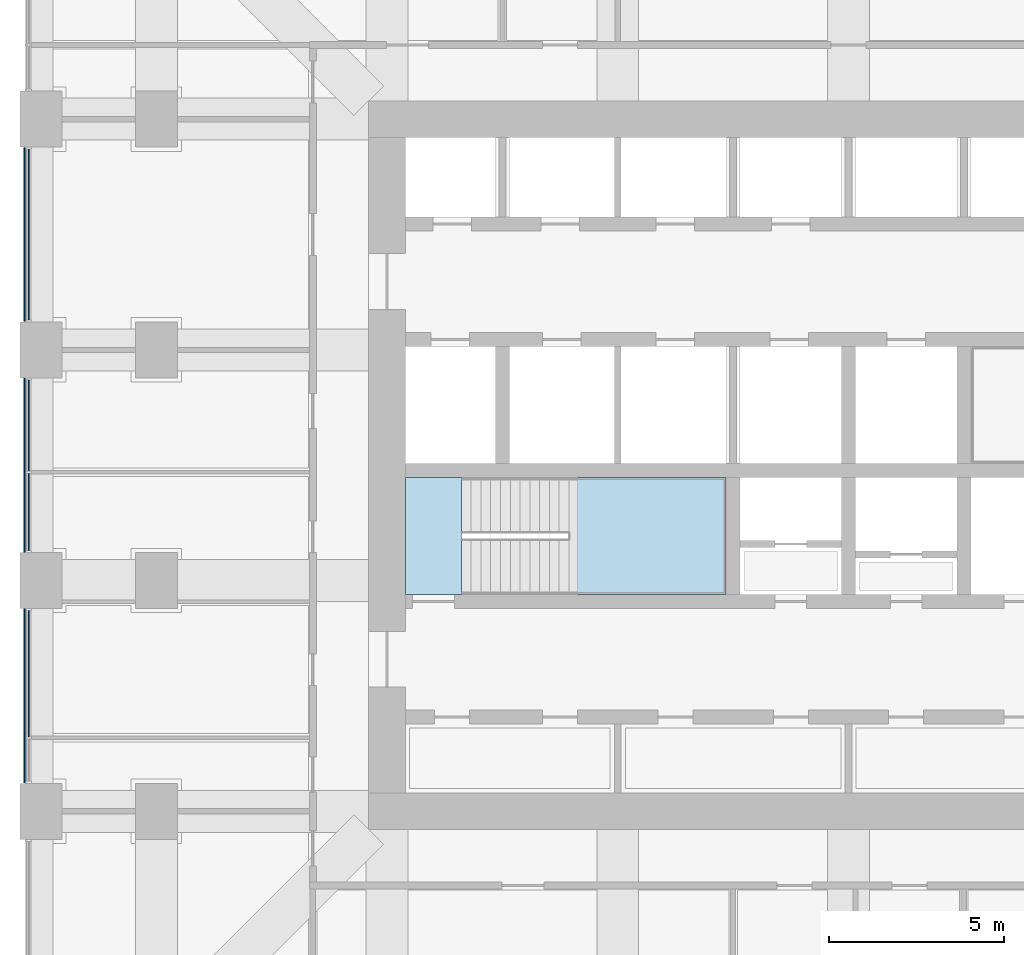
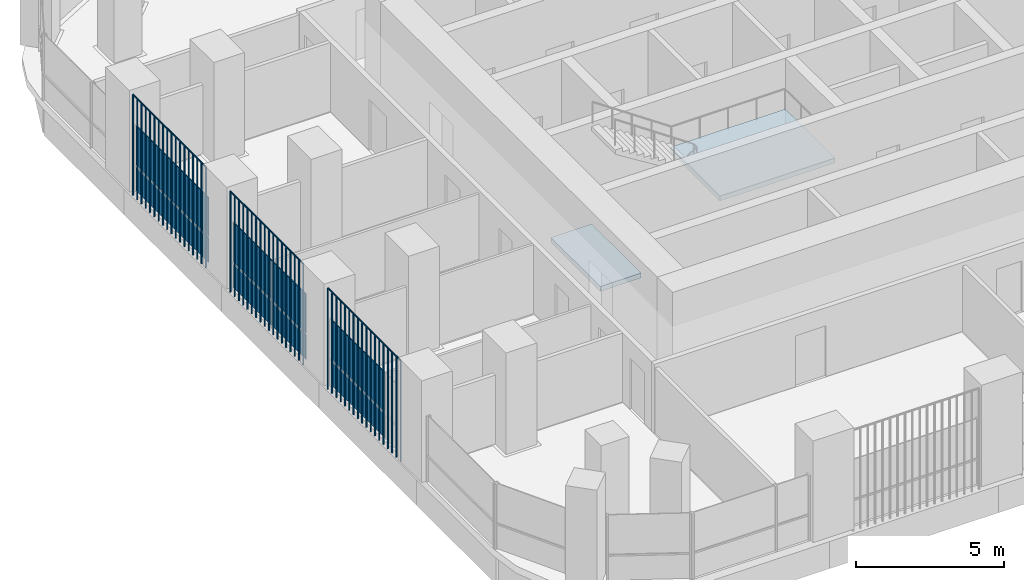
# One storey, part 9 of 19: 11 plates, 2 slabs, 4 elements without a shape of their own.
"""IFC4 building model written with IfcOpenShell, lengths in metres."""

import ifcopenshell
import ifcopenshell.guid

model = None  # the IFC model being written
_history = None  # IfcOwnerHistory: only IFC2X3 demands one
_inside = {}  # id of a spatial element -> (the spatial element, [elements in it])
_under = {}  # id of a project, library or spatial element -> (it, [spatial elements below it])
_declared = {}  # id of a project -> (the project, [libraries it declares])
_typed = {}  # id of a type object -> (the type object, [elements of that type])
_made_of = {}  # id of a material, layer set ... -> (it, [elements and type objects made of it])


def new_model(schema):
    """Start an empty IFC model of exactly this schema.

    Asked for "IFC4X3", IfcOpenShell would pick the latest addendum, in which some entities
    have other attributes; the version numbers below select the first issue.
    IFC2X3 requires an IfcOwnerHistory on every rooted entity: one is made here for all.
    """
    global model, _history
    if schema == "IFC4X3":
        model = ifcopenshell.file(schema_version=(4, 3, 0, 0))
    else:
        model = ifcopenshell.file(schema=schema)
    _inside.clear()
    _under.clear()
    _declared.clear()
    _typed.clear()
    _made_of.clear()
    _history = None
    if model.schema == "IFC2X3":
        org = make("IfcOrganization", Name="unknown")
        user = make(
            "IfcPersonAndOrganization",
            ThePerson=make("IfcPerson", FamilyName="unknown"),
            TheOrganization=org,
        )
        app = make(
            "IfcApplication",
            ApplicationDeveloper=org,
            Version="unknown",
            ApplicationFullName="unknown",
            ApplicationIdentifier="unknown",
        )
        _history = make(
            "IfcOwnerHistory",
            OwningUser=user,
            OwningApplication=app,
            ChangeAction="ADDED",
            CreationDate=0,
        )
    return model


def make(cls, **values):
    """One entity of the class cls with the attributes given. An attribute that is None is left unset."""
    return model.create_entity(
        cls, **{name: value for name, value in values.items() if value is not None}
    )


def rooted(cls, **values):
    """An entity with a GlobalId (a new one), such as an element, a storey or a relation."""
    return make(cls, GlobalId=ifcopenshell.guid.new(), OwnerHistory=_history, **values)


def si_unit(unit_type, name, prefix=None):
    """IfcSIUnit, for example si_unit("LENGTHUNIT", "METRE", prefix="MILLI")."""
    return make("IfcSIUnit", UnitType=unit_type, Prefix=prefix, Name=name)


def assignment(units):
    """IfcUnitAssignment: the units of a project."""
    return None if units is None else make("IfcUnitAssignment", Units=units)


def point(xyz):
    """IfcCartesianPoint."""
    return None if xyz is None else make("IfcCartesianPoint", Coordinates=xyz)


def direction(xyz):
    """IfcDirection."""
    return None if xyz is None else make("IfcDirection", DirectionRatios=xyz)


def frame(location, z_axis=None, x_axis=None):
    """IfcAxis2Placement3D, a coordinate frame: its origin and axes. An axis left out is left unset."""
    return make(
        "IfcAxis2Placement3D",
        Location=point(location),
        Axis=direction(z_axis),
        RefDirection=direction(x_axis),
    )


def frame_2d(location, x_axis=None):
    """IfcAxis2Placement2D, a coordinate frame in the plane: its origin and x axis."""
    return make(
        "IfcAxis2Placement2D", Location=point(location), RefDirection=direction(x_axis)
    )


def origin():
    """The frame at (0, 0, 0) with its axes left unset."""
    return frame((0.0, 0.0, 0.0))


def origin_2d():
    """The frame at (0, 0) in the plane with its x axis left unset."""
    return frame_2d((0.0, 0.0))


def place(relative_to, where):
    """IfcLocalPlacement: puts the frame where relative to a parent placement (None: the world)."""
    return make(
        "IfcLocalPlacement", PlacementRelTo=relative_to, RelativePlacement=where
    )


def context(
    kind, dimensions, precision=None, world=None, true_north=None, identifier=None
):
    """IfcGeometricRepresentationContext, for example the 3D "Model" context."""
    return make(
        "IfcGeometricRepresentationContext",
        ContextIdentifier=identifier,
        ContextType=kind,
        CoordinateSpaceDimension=dimensions,
        Precision=precision,
        WorldCoordinateSystem=world,
        TrueNorth=true_north,
    )


def subcontext(parent, identifier, kind, view, scale=None):
    """IfcGeometricRepresentationSubContext, for example "Body" below "Model"."""
    return make(
        "IfcGeometricRepresentationSubContext",
        ContextIdentifier=identifier,
        ContextType=kind,
        ParentContext=parent,
        TargetScale=scale,
        TargetView=view,
    )


def project(units=None, contexts=None):
    """IfcProject with its units and contexts."""
    return rooted(
        "IfcProject",
        Name="project",
        RepresentationContexts=contexts,
        UnitsInContext=assignment(units),
    )


def spatial(cls, under=None, at=None, **own):
    """A site, building, storey or space (cls), placed at a placement, below another one or the project."""
    s = rooted(cls, ObjectPlacement=at, **own)
    if under is not None:
        _under.setdefault(under.id(), (under, []))[1].append(s)
    return s


def polyline(points):
    """IfcPolyline through the points."""
    return make("IfcPolyline", Points=[point(p) for p in points])


def profile(cls, at=None, kind="AREA", **sizes):
    """A parametric profile (cls). Its sizes go by their IFC names, for example OverallWidth=200.0."""
    return make(cls, ProfileType=kind, Position=at, **sizes)


def rectangle(**sizes):
    """IfcRectangleProfileDef."""
    return profile("IfcRectangleProfileDef", **sizes)


def outline(outer, holes=None, kind="AREA"):
    """IfcArbitraryClosedProfileDef: a profile drawn as a closed curve; with holes, ...WithVoids."""
    if holes is None:
        return make("IfcArbitraryClosedProfileDef", ProfileType=kind, OuterCurve=outer)
    return make(
        "IfcArbitraryProfileDefWithVoids",
        ProfileType=kind,
        OuterCurve=outer,
        InnerCurves=holes,
    )


def extrude(swept, where, along, depth):
    """IfcExtrudedAreaSolid: the profile swept, set in the frame where, extruded along a direction by depth."""
    return make(
        "IfcExtrudedAreaSolid",
        SweptArea=swept,
        Position=where,
        ExtrudedDirection=direction(along),
        Depth=depth,
    )


def shape(context_of_items, identifier, shape_type, items):
    """IfcShapeRepresentation: the items that make up one representation, for example the "Body"."""
    return make(
        "IfcShapeRepresentation",
        ContextOfItems=context_of_items,
        RepresentationIdentifier=identifier,
        RepresentationType=shape_type,
        Items=items,
    )


def material(Name=None, Category=None):
    """IfcMaterial."""
    return make("IfcMaterial", Name=Name, Category=Category)


def layer(
    of_material, thickness, ventilated=None, Name=None, Category=None, Priority=None
):
    """IfcMaterialLayer: one layer of a wall or slab, of a material (None: an air gap)."""
    return make(
        "IfcMaterialLayer",
        Material=of_material,
        LayerThickness=thickness,
        IsVentilated=ventilated,
        Name=Name,
        Category=Category,
        Priority=Priority,
    )


def layer_set(layers, Name=None):
    """IfcMaterialLayerSet."""
    return make("IfcMaterialLayerSet", MaterialLayers=layers, LayerSetName=Name)


def made_of(thing, what):
    """Note that an element or type object is made of a material, layer set ...; save() writes the relation."""
    if what is not None:
        _made_of.setdefault(what.id(), (what, []))[1].append(thing)
    return thing


def type_object(cls, material=None, **own):
    """A type object (cls), such as IfcWallType, which elements share."""
    return made_of(rooted(cls, **own), material)


def element(
    cls,
    number,
    at=None,
    inside=None,
    cuts=None,
    type_object=None,
    material=None,
    context=None,
    identifier="Body",
    shape_type=None,
    held_by="IfcProductDefinitionShape",
    body=None,
    shapes=None,
    **own,
):
    """One element of the class cls, such as IfcWall. Its Tag is "e" and its number.

    at: its placement. inside: the storey or other place that contains it. cuts: it is an
    opening in that element (IfcRelVoidsElement). A single representation is given by context,
    identifier, shape_type and body (its items); several are given by shapes. held_by: the class
    of the entity that holds the representations. save() writes the other relations.
    """
    e = rooted(cls, Tag="e%d" % number, ObjectPlacement=at, **own)
    if body is not None:
        shapes = [shape(context, identifier, shape_type, body)]
    if shapes is not None:
        e.Representation = make(held_by, Representations=shapes)
    if inside is not None:
        _inside.setdefault(inside.id(), (inside, []))[1].append(e)
    if cuts is not None:
        rooted(
            "IfcRelVoidsElement", RelatingBuildingElement=cuts, RelatedOpeningElement=e
        )
    if type_object is not None:
        _typed.setdefault(type_object.id(), (type_object, []))[1].append(e)
    return made_of(e, material)


def aggregate(whole, parts):
    """IfcRelAggregates: a whole, such as a stair, and the parts it consists of."""
    return rooted("IfcRelAggregates", RelatingObject=whole, RelatedObjects=parts)


def save(model, path):
    """Write the relations noted so far, then the file.

    IfcRelAggregates (storeys below a building ...), IfcRelContainedInSpatialStructure (elements
    in a storey), IfcRelDefinesByType, IfcRelAssociatesMaterial and IfcRelDeclares: one each for
    every whole, place, type object, material and project.
    """
    for whole, parts in _under.values():
        aggregate(whole, parts)
    for where, things in _inside.values():
        rooted(
            "IfcRelContainedInSpatialStructure",
            RelatedElements=things,
            RelatingStructure=where,
        )
    for kind, things in _typed.values():
        rooted("IfcRelDefinesByType", RelatedObjects=things, RelatingType=kind)
    for what, things in _made_of.values():
        rooted("IfcRelAssociatesMaterial", RelatedObjects=things, RelatingMaterial=what)
    for by, libraries in _declared.values():
        rooted("IfcRelDeclares", RelatingContext=by, RelatedDefinitions=libraries)
    model.write(path)


model = new_model("IFC4")

# Units and contexts
model_context = context("Model", 3, precision=1e-05, world=origin(), true_north=direction((0.0, 1.0)))
body_context = subcontext(model_context, "Body", "Model", "MODEL_VIEW")
ifc_project = project(units=[si_unit("LENGTHUNIT", "METRE"), si_unit("AREAUNIT", "SQUARE_METRE"), si_unit("VOLUMEUNIT", "CUBIC_METRE"), si_unit("PLANEANGLEUNIT", "RADIAN"), si_unit("MASSUNIT", "GRAM", prefix="KILO")], contexts=[model_context])

# Site, building, storey
site_placement = place(None, origin())
site = spatial("IfcSite", under=ifc_project, at=site_placement, CompositionType="ELEMENT")
building_placement = place(site_placement, origin())
building = spatial("IfcBuilding", under=site, at=building_placement, Name="Cobogo Forest Laboratory Tower", CompositionType="ELEMENT")
storey_placement = place(building_placement, frame((0.0, 0.0, 197.699951171875)))
storey = spatial("IfcBuildingStorey", under=building, at=storey_placement, Name="L45", CompositionType="ELEMENT", Elevation=197.699951171875)

# Curtain wall, plates
ifc_material_1 = material(Name="Aluminium curtain wall", Category="aluminium")
curtain_wall_type = type_object("IfcCurtainWallType", Name="CW-2 unitised curtain wall, solar control glazing, laboratory floors zones C and D", PredefinedType="USERDEFINED", material=ifc_material_1)
curtain_wall_1_placement = place(storey_placement, origin())
curtain_wall_1 = element("IfcCurtainWall", 1, at=curtain_wall_1_placement, inside=storey, type_object=curtain_wall_type, Name="Curtain wall 25 L45", ObjectType="UNITISED CURTAIN WALL", PredefinedType="USERDEFINED")
ifc_material_2 = material(Name="Solar control insulated glass", Category="glass")
ifc_layer_1 = layer(ifc_material_2, 0.031982421875)
ifc_layer_set_1 = layer_set([ifc_layer_1], Name="GP-2 solar control glass unit 32")
plate_type_1 = type_object("IfcPlateType", Name="GP-2 solar control glass unit 32", PredefinedType="CURTAIN_PANEL", material=ifc_layer_set_1)
plate_1_placement = place(storey_placement, frame((2.949951171875, 29.699951171875, 0.0), z_axis=(0.0, 0.0, 1.0), x_axis=(0.0, -1.0, 0.0)))
plate_1 = element("IfcPlate", 2, at=plate_1_placement, type_object=plate_type_1, Name="CW-2 panel 1.1", PredefinedType="CURTAIN_PANEL", context=body_context, shape_type="SweptSolid", body=[
    extrude(rectangle(XDim=4.8798828125, YDim=0.031982421875, at=origin_2d()), origin(), (0.0, 0.0, 1.0), 1.02001953125),
])
plate_2_placement = place(storey_placement, frame((2.949951171875, 29.699951171875, 1.080078125), z_axis=(0.0, 0.0, 1.0), x_axis=(0.0, -1.0, 0.0)))
plate_2 = element("IfcPlate", 3, at=plate_2_placement, type_object=plate_type_1, Name="CW-2 panel 1.2", PredefinedType="CURTAIN_PANEL", context=body_context, shape_type="SweptSolid", body=[
    extrude(rectangle(XDim=4.8798828125, YDim=0.031982421875, at=origin_2d()), origin(), (0.0, 0.0, 1.0), 1.6201171875),
])
aggregate(curtain_wall_1, [plate_1, plate_2])

curtain_wall_2_placement = place(storey_placement, origin())
curtain_wall_2 = element("IfcCurtainWall", 4, at=curtain_wall_2_placement, inside=storey, type_object=curtain_wall_type, Name="Curtain wall 26 L45", ObjectType="UNITISED CURTAIN WALL", PredefinedType="USERDEFINED")
plate_3_placement = place(storey_placement, frame((2.949951171875, 24.235107421875, 0.0), z_axis=(0.0, 0.0, 1.0), x_axis=(0.0, -1.0, 0.0)))
plate_3 = element("IfcPlate", 5, at=plate_3_placement, type_object=plate_type_1, Name="CW-2 panel 1.1", PredefinedType="CURTAIN_PANEL", context=body_context, shape_type="SweptSolid", body=[
    extrude(rectangle(XDim=2.610107421875, YDim=0.031982421875, at=origin_2d()), origin(), (0.0, 0.0, 1.0), 1.02001953125),
])
plate_4_placement = place(storey_placement, frame((2.949951171875, 24.235107421875, 1.080078125), z_axis=(0.0, 0.0, 1.0), x_axis=(0.0, -1.0, 0.0)))
plate_4 = element("IfcPlate", 6, at=plate_4_placement, type_object=plate_type_1, Name="CW-2 panel 1.2", PredefinedType="CURTAIN_PANEL", context=body_context, shape_type="SweptSolid", body=[
    extrude(rectangle(XDim=2.610107421875, YDim=0.031982421875, at=origin_2d()), origin(), (0.0, 0.0, 1.0), 1.6201171875),
])
plate_5_placement = place(storey_placement, frame((2.949951171875, 21.764892578125, 0.0), z_axis=(0.0, 0.0, 1.0), x_axis=(0.0, -1.0, 0.0)))
plate_5 = element("IfcPlate", 7, at=plate_5_placement, type_object=plate_type_1, Name="CW-2 panel 2.1", PredefinedType="CURTAIN_PANEL", context=body_context, shape_type="SweptSolid", body=[
    extrude(rectangle(XDim=2.2099609375, YDim=0.031982421875, at=origin_2d()), origin(), (0.0, 0.0, 1.0), 1.02001953125),
])
plate_6_placement = place(storey_placement, frame((2.949951171875, 21.764892578125, 1.080078125), z_axis=(0.0, 0.0, 1.0), x_axis=(0.0, -1.0, 0.0)))
plate_6 = element("IfcPlate", 8, at=plate_6_placement, type_object=plate_type_1, Name="CW-2 panel 2.2", PredefinedType="CURTAIN_PANEL", context=body_context, shape_type="SweptSolid", body=[
    extrude(rectangle(XDim=2.2099609375, YDim=0.031982421875, at=origin_2d()), origin(), (0.0, 0.0, 1.0), 1.6201171875),
])
aggregate(curtain_wall_2, [plate_3, plate_4, plate_5, plate_6])

curtain_wall_3_placement = place(storey_placement, origin())
curtain_wall_3 = element("IfcCurtainWall", 9, at=curtain_wall_3_placement, inside=storey, type_object=curtain_wall_type, Name="Curtain wall 27 L45", ObjectType="UNITISED CURTAIN WALL", PredefinedType="USERDEFINED")
plate_7_placement = place(storey_placement, frame((2.949951171875, 17.135009765625, 0.0), z_axis=(0.0, 0.0, 1.0), x_axis=(0.0, -1.0, 0.0)))
plate_7 = element("IfcPlate", 10, at=plate_7_placement, type_object=plate_type_1, Name="CW-2 panel 1.1", PredefinedType="CURTAIN_PANEL", context=body_context, shape_type="SweptSolid", body=[
    extrude(rectangle(XDim=3.610107421875, YDim=0.031982421875, at=origin_2d()), origin(), (0.0, 0.0, 1.0), 1.02001953125),
])
plate_8_placement = place(storey_placement, frame((2.949951171875, 17.135009765625, 1.080078125), z_axis=(0.0, 0.0, 1.0), x_axis=(0.0, -1.0, 0.0)))
plate_8 = element("IfcPlate", 11, at=plate_8_placement, type_object=plate_type_1, Name="CW-2 panel 1.2", PredefinedType="CURTAIN_PANEL", context=body_context, shape_type="SweptSolid", body=[
    extrude(rectangle(XDim=3.610107421875, YDim=0.031982421875, at=origin_2d()), origin(), (0.0, 0.0, 1.0), 1.6201171875),
])
aggregate(curtain_wall_3, [plate_7, plate_8])

# Stair, slabs
ifc_material_3 = material(Name="Precast concrete HA-40 (C40/50)", Category="concrete")
stair_type = type_object("IfcStairType", Name="ST24 exit stair 24 risers", PredefinedType="HALF_TURN_STAIR", material=ifc_material_3)
stair_placement = place(storey_placement, origin())
stair = element("IfcStair", 12, at=stair_placement, inside=storey, type_object=stair_type, Name="Stair 1 L45 to L46", PredefinedType="HALF_TURN_STAIR")
ifc_material_4 = material(Name="Concrete HA-40 (C40/50)", Category="concrete")
ifc_layer_2 = layer(ifc_material_4, 0.199951171875)
ifc_layer_set_2 = layer_set([ifc_layer_2], Name="SL stair landing 200")
slab_type = type_object("IfcSlabType", Name="SL stair landing 200", PredefinedType="LANDING", material=ifc_layer_set_2)
slab_1_placement = place(storey_placement, frame((0.0, 0.0, -0.199951171875)))
slab_1 = element("IfcSlab", 13, at=slab_1_placement, type_object=slab_type, Name="ST1 landing 1", PredefinedType="LANDING", context=body_context, shape_type="SweptSolid", body=[
    extrude(outline(polyline([(13.72509765625, 19.39990234375), (15.326904296875, 19.39990234375), (15.326904296875, 22.75), (13.72509765625, 22.75), (13.72509765625, 19.39990234375)])), origin(), (0.0, 0.0, 1.0), 0.199951171875),
])
slab_2_placement = place(storey_placement, frame((0.0, 0.0, 1.900146484375)))
slab_2 = element("IfcSlab", 14, at=slab_2_placement, type_object=slab_type, Name="ST1 landing 2", PredefinedType="LANDING", context=body_context, shape_type="SweptSolid", body=[
    extrude(outline(polyline([(18.403076171875, 19.39990234375), (22.89990234375, 19.39990234375), (22.89990234375, 22.75), (18.403076171875, 22.75), (18.403076171875, 19.39990234375)])), origin(), (0.0, 0.0, 1.0), 0.199951171875),
])
aggregate(stair, [slab_1, slab_2])

# Plates
ifc_material_5 = material(Name="Terracotta", Category="masonry")
plate_type_2 = type_object("IfcPlateType", Name="TB1 terracotta baguette screen", PredefinedType="USERDEFINED", material=ifc_material_5)
plate_9_placement = place(storey_placement, frame((2.822021484375, 14.03125, -0.14990234375)))
element("IfcPlate", 15, at=plate_9_placement, inside=storey, type_object=plate_type_2, Name="Baguette screen W1 L45", ObjectType="BAGUETTE SCREEN", PredefinedType="USERDEFINED", context=body_context, shape_type="SweptSolid", body=[
    extrude(outline(polyline([(0.02880859375, 0.011962890625), (0.011962890625, 0.02880859375), (-0.011962890625, 0.02880859375), (-0.02880859375, 0.011962890625), (-0.02880859375, -0.011962890625), (-0.011962890625, -0.02880859375), (0.011962890625, -0.02880859375), (0.02880859375, -0.011962890625), (0.02880859375, 0.011962890625)])), frame((0.0, 0.0, 4.168701171875), z_axis=(0.0, 1.0, 0.0), x_axis=(-1.0, 0.0, 0.0)), (0.0, 0.0, 1.0), 4.9375),
    extrude(outline(polyline([(0.02880859375, 0.011962890625), (0.011962890625, 0.02880859375), (-0.011962890625, 0.02880859375), (-0.02880859375, 0.011962890625), (-0.02880859375, -0.011962890625), (-0.011962890625, -0.02880859375), (0.011962890625, -0.02880859375), (0.02880859375, -0.011962890625), (0.02880859375, 0.011962890625)])), origin(), (0.0, 0.0, 1.0), 4.137451171875),
    extrude(outline(polyline([(0.02880859375, 0.011962890625), (0.011962890625, 0.02880859375), (-0.011962890625, 0.02880859375), (-0.02880859375, 0.011962890625), (-0.02880859375, -0.011962890625), (-0.011962890625, -0.02880859375), (0.011962890625, -0.02880859375), (0.02880859375, -0.011962890625), (0.02880859375, 0.011962890625)])), frame((0.0, 0.29052734375, 0.0)), (0.0, 0.0, 1.0), 4.137451171875),
    extrude(outline(polyline([(0.02880859375, 0.011962890625), (0.011962890625, 0.02880859375), (-0.011962890625, 0.02880859375), (-0.02880859375, 0.011962890625), (-0.02880859375, -0.011962890625), (-0.011962890625, -0.02880859375), (0.011962890625, -0.02880859375), (0.02880859375, -0.011962890625), (0.02880859375, 0.011962890625)])), frame((0.0, 0.580810546875, 0.0)), (0.0, 0.0, 1.0), 4.137451171875),
    extrude(outline(polyline([(0.02880859375, 0.011962890625), (0.011962890625, 0.02880859375), (-0.011962890625, 0.02880859375), (-0.02880859375, 0.011962890625), (-0.02880859375, -0.011962890625), (-0.011962890625, -0.02880859375), (0.011962890625, -0.02880859375), (0.02880859375, -0.011962890625), (0.02880859375, 0.011962890625)])), frame((0.0, 0.871337890625, 0.0)), (0.0, 0.0, 1.0), 4.137451171875),
    extrude(outline(polyline([(0.02880859375, 0.011962890625), (0.011962890625, 0.02880859375), (-0.011962890625, 0.02880859375), (-0.02880859375, 0.011962890625), (-0.02880859375, -0.011962890625), (-0.011962890625, -0.02880859375), (0.011962890625, -0.02880859375), (0.02880859375, -0.011962890625), (0.02880859375, 0.011962890625)])), frame((0.0, 1.161865234375, 0.0)), (0.0, 0.0, 1.0), 4.137451171875),
    extrude(outline(polyline([(0.02880859375, 0.011962890625), (0.011962890625, 0.02880859375), (-0.011962890625, 0.02880859375), (-0.02880859375, 0.011962890625), (-0.02880859375, -0.011962890625), (-0.011962890625, -0.02880859375), (0.011962890625, -0.02880859375), (0.02880859375, -0.011962890625), (0.02880859375, 0.011962890625)])), frame((0.0, 1.4521484375, 0.0)), (0.0, 0.0, 1.0), 4.137451171875),
    extrude(outline(polyline([(0.02880859375, 0.011962890625), (0.011962890625, 0.02880859375), (-0.011962890625, 0.02880859375), (-0.02880859375, 0.011962890625), (-0.02880859375, -0.011962890625), (-0.011962890625, -0.02880859375), (0.011962890625, -0.02880859375), (0.02880859375, -0.011962890625), (0.02880859375, 0.011962890625)])), frame((0.0, 1.74267578125, 0.0)), (0.0, 0.0, 1.0), 4.137451171875),
    extrude(outline(polyline([(0.02880859375, 0.011962890625), (0.011962890625, 0.02880859375), (-0.011962890625, 0.02880859375), (-0.02880859375, 0.011962890625), (-0.02880859375, -0.011962890625), (-0.011962890625, -0.02880859375), (0.011962890625, -0.02880859375), (0.02880859375, -0.011962890625), (0.02880859375, 0.011962890625)])), frame((0.0, 2.033203125, 0.0)), (0.0, 0.0, 1.0), 4.137451171875),
    extrude(outline(polyline([(0.02880859375, 0.011962890625), (0.011962890625, 0.02880859375), (-0.011962890625, 0.02880859375), (-0.02880859375, 0.011962890625), (-0.02880859375, -0.011962890625), (-0.011962890625, -0.02880859375), (0.011962890625, -0.02880859375), (0.02880859375, -0.011962890625), (0.02880859375, 0.011962890625)])), frame((0.0, 2.323486328125, 0.0)), (0.0, 0.0, 1.0), 4.137451171875),
    extrude(outline(polyline([(0.02880859375, 0.011962890625), (0.011962890625, 0.02880859375), (-0.011962890625, 0.02880859375), (-0.02880859375, 0.011962890625), (-0.02880859375, -0.011962890625), (-0.011962890625, -0.02880859375), (0.011962890625, -0.02880859375), (0.02880859375, -0.011962890625), (0.02880859375, 0.011962890625)])), frame((0.0, 2.614013671875, 0.0)), (0.0, 0.0, 1.0), 4.137451171875),
    extrude(outline(polyline([(0.02880859375, 0.011962890625), (0.011962890625, 0.02880859375), (-0.011962890625, 0.02880859375), (-0.02880859375, 0.011962890625), (-0.02880859375, -0.011962890625), (-0.011962890625, -0.02880859375), (0.011962890625, -0.02880859375), (0.02880859375, -0.011962890625), (0.02880859375, 0.011962890625)])), frame((0.0, 2.904296875, 0.0)), (0.0, 0.0, 1.0), 4.137451171875),
    extrude(outline(polyline([(0.02880859375, 0.011962890625), (0.011962890625, 0.02880859375), (-0.011962890625, 0.02880859375), (-0.02880859375, 0.011962890625), (-0.02880859375, -0.011962890625), (-0.011962890625, -0.02880859375), (0.011962890625, -0.02880859375), (0.02880859375, -0.011962890625), (0.02880859375, 0.011962890625)])), frame((0.0, 3.19482421875, 0.0)), (0.0, 0.0, 1.0), 4.137451171875),
    extrude(outline(polyline([(0.02880859375, 0.011962890625), (0.011962890625, 0.02880859375), (-0.011962890625, 0.02880859375), (-0.02880859375, 0.011962890625), (-0.02880859375, -0.011962890625), (-0.011962890625, -0.02880859375), (0.011962890625, -0.02880859375), (0.02880859375, -0.011962890625), (0.02880859375, 0.011962890625)])), frame((0.0, 3.4853515625, 0.0)), (0.0, 0.0, 1.0), 4.137451171875),
    extrude(outline(polyline([(0.02880859375, 0.011962890625), (0.011962890625, 0.02880859375), (-0.011962890625, 0.02880859375), (-0.02880859375, 0.011962890625), (-0.02880859375, -0.011962890625), (-0.011962890625, -0.02880859375), (0.011962890625, -0.02880859375), (0.02880859375, -0.011962890625), (0.02880859375, 0.011962890625)])), frame((0.0, 3.775634765625, 0.0)), (0.0, 0.0, 1.0), 4.137451171875),
    extrude(outline(polyline([(0.02880859375, 0.011962890625), (0.011962890625, 0.02880859375), (-0.011962890625, 0.02880859375), (-0.02880859375, 0.011962890625), (-0.02880859375, -0.011962890625), (-0.011962890625, -0.02880859375), (0.011962890625, -0.02880859375), (0.02880859375, -0.011962890625), (0.02880859375, 0.011962890625)])), frame((0.0, 4.066162109375, 0.0)), (0.0, 0.0, 1.0), 4.137451171875),
    extrude(outline(polyline([(0.02880859375, 0.011962890625), (0.011962890625, 0.02880859375), (-0.011962890625, 0.02880859375), (-0.02880859375, 0.011962890625), (-0.02880859375, -0.011962890625), (-0.011962890625, -0.02880859375), (0.011962890625, -0.02880859375), (0.02880859375, -0.011962890625), (0.02880859375, 0.011962890625)])), frame((0.0, 4.356689453125, 0.0)), (0.0, 0.0, 1.0), 4.137451171875),
    extrude(outline(polyline([(0.02880859375, 0.011962890625), (0.011962890625, 0.02880859375), (-0.011962890625, 0.02880859375), (-0.02880859375, 0.011962890625), (-0.02880859375, -0.011962890625), (-0.011962890625, -0.02880859375), (0.011962890625, -0.02880859375), (0.02880859375, -0.011962890625), (0.02880859375, 0.011962890625)])), frame((0.0, 4.64697265625, 0.0)), (0.0, 0.0, 1.0), 4.137451171875),
    extrude(outline(polyline([(0.02880859375, 0.011962890625), (0.011962890625, 0.02880859375), (-0.011962890625, 0.02880859375), (-0.02880859375, 0.011962890625), (-0.02880859375, -0.011962890625), (-0.011962890625, -0.02880859375), (0.011962890625, -0.02880859375), (0.02880859375, -0.011962890625), (0.02880859375, 0.011962890625)])), frame((0.0, 4.9375, 0.0)), (0.0, 0.0, 1.0), 4.137451171875),
])
plate_10_placement = place(storey_placement, frame((2.822021484375, 20.63134765625, -0.14990234375)))
element("IfcPlate", 16, at=plate_10_placement, inside=storey, type_object=plate_type_2, Name="Baguette screen W2 L45", ObjectType="BAGUETTE SCREEN", PredefinedType="USERDEFINED", context=body_context, shape_type="SweptSolid", body=[
    extrude(outline(polyline([(0.02880859375, 0.011962890625), (0.011962890625, 0.02880859375), (-0.011962890625, 0.02880859375), (-0.02880859375, 0.011962890625), (-0.02880859375, -0.011962890625), (-0.011962890625, -0.02880859375), (0.011962890625, -0.02880859375), (0.02880859375, -0.011962890625), (0.02880859375, 0.011962890625)])), frame((0.0, 0.0, 4.168701171875), z_axis=(0.0, 1.0, 0.0), x_axis=(-1.0, 0.0, 0.0)), (0.0, 0.0, 1.0), 4.9375),
    extrude(outline(polyline([(0.02880859375, 0.011962890625), (0.011962890625, 0.02880859375), (-0.011962890625, 0.02880859375), (-0.02880859375, 0.011962890625), (-0.02880859375, -0.011962890625), (-0.011962890625, -0.02880859375), (0.011962890625, -0.02880859375), (0.02880859375, -0.011962890625), (0.02880859375, 0.011962890625)])), origin(), (0.0, 0.0, 1.0), 4.137451171875),
    extrude(outline(polyline([(0.02880859375, 0.011962890625), (0.011962890625, 0.02880859375), (-0.011962890625, 0.02880859375), (-0.02880859375, 0.011962890625), (-0.02880859375, -0.011962890625), (-0.011962890625, -0.02880859375), (0.011962890625, -0.02880859375), (0.02880859375, -0.011962890625), (0.02880859375, 0.011962890625)])), frame((0.0, 0.29052734375, 0.0)), (0.0, 0.0, 1.0), 4.137451171875),
    extrude(outline(polyline([(0.02880859375, 0.011962890625), (0.011962890625, 0.02880859375), (-0.011962890625, 0.02880859375), (-0.02880859375, 0.011962890625), (-0.02880859375, -0.011962890625), (-0.011962890625, -0.02880859375), (0.011962890625, -0.02880859375), (0.02880859375, -0.011962890625), (0.02880859375, 0.011962890625)])), frame((0.0, 0.580810546875, 0.0)), (0.0, 0.0, 1.0), 4.137451171875),
    extrude(outline(polyline([(0.02880859375, 0.011962890625), (0.011962890625, 0.02880859375), (-0.011962890625, 0.02880859375), (-0.02880859375, 0.011962890625), (-0.02880859375, -0.011962890625), (-0.011962890625, -0.02880859375), (0.011962890625, -0.02880859375), (0.02880859375, -0.011962890625), (0.02880859375, 0.011962890625)])), frame((0.0, 0.871337890625, 0.0)), (0.0, 0.0, 1.0), 4.137451171875),
    extrude(outline(polyline([(0.02880859375, 0.011962890625), (0.011962890625, 0.02880859375), (-0.011962890625, 0.02880859375), (-0.02880859375, 0.011962890625), (-0.02880859375, -0.011962890625), (-0.011962890625, -0.02880859375), (0.011962890625, -0.02880859375), (0.02880859375, -0.011962890625), (0.02880859375, 0.011962890625)])), frame((0.0, 1.161865234375, 0.0)), (0.0, 0.0, 1.0), 4.137451171875),
    extrude(outline(polyline([(0.02880859375, 0.011962890625), (0.011962890625, 0.02880859375), (-0.011962890625, 0.02880859375), (-0.02880859375, 0.011962890625), (-0.02880859375, -0.011962890625), (-0.011962890625, -0.02880859375), (0.011962890625, -0.02880859375), (0.02880859375, -0.011962890625), (0.02880859375, 0.011962890625)])), frame((0.0, 1.4521484375, 0.0)), (0.0, 0.0, 1.0), 4.137451171875),
    extrude(outline(polyline([(0.02880859375, 0.011962890625), (0.011962890625, 0.02880859375), (-0.011962890625, 0.02880859375), (-0.02880859375, 0.011962890625), (-0.02880859375, -0.011962890625), (-0.011962890625, -0.02880859375), (0.011962890625, -0.02880859375), (0.02880859375, -0.011962890625), (0.02880859375, 0.011962890625)])), frame((0.0, 1.74267578125, 0.0)), (0.0, 0.0, 1.0), 4.137451171875),
    extrude(outline(polyline([(0.02880859375, 0.011962890625), (0.011962890625, 0.02880859375), (-0.011962890625, 0.02880859375), (-0.02880859375, 0.011962890625), (-0.02880859375, -0.011962890625), (-0.011962890625, -0.02880859375), (0.011962890625, -0.02880859375), (0.02880859375, -0.011962890625), (0.02880859375, 0.011962890625)])), frame((0.0, 2.033203125, 0.0)), (0.0, 0.0, 1.0), 4.137451171875),
    extrude(outline(polyline([(0.02880859375, 0.011962890625), (0.011962890625, 0.02880859375), (-0.011962890625, 0.02880859375), (-0.02880859375, 0.011962890625), (-0.02880859375, -0.011962890625), (-0.011962890625, -0.02880859375), (0.011962890625, -0.02880859375), (0.02880859375, -0.011962890625), (0.02880859375, 0.011962890625)])), frame((0.0, 2.323486328125, 0.0)), (0.0, 0.0, 1.0), 4.137451171875),
    extrude(outline(polyline([(0.02880859375, 0.011962890625), (0.011962890625, 0.02880859375), (-0.011962890625, 0.02880859375), (-0.02880859375, 0.011962890625), (-0.02880859375, -0.011962890625), (-0.011962890625, -0.02880859375), (0.011962890625, -0.02880859375), (0.02880859375, -0.011962890625), (0.02880859375, 0.011962890625)])), frame((0.0, 2.614013671875, 0.0)), (0.0, 0.0, 1.0), 4.137451171875),
    extrude(outline(polyline([(0.02880859375, 0.011962890625), (0.011962890625, 0.02880859375), (-0.011962890625, 0.02880859375), (-0.02880859375, 0.011962890625), (-0.02880859375, -0.011962890625), (-0.011962890625, -0.02880859375), (0.011962890625, -0.02880859375), (0.02880859375, -0.011962890625), (0.02880859375, 0.011962890625)])), frame((0.0, 2.904296875, 0.0)), (0.0, 0.0, 1.0), 4.137451171875),
    extrude(outline(polyline([(0.02880859375, 0.011962890625), (0.011962890625, 0.02880859375), (-0.011962890625, 0.02880859375), (-0.02880859375, 0.011962890625), (-0.02880859375, -0.011962890625), (-0.011962890625, -0.02880859375), (0.011962890625, -0.02880859375), (0.02880859375, -0.011962890625), (0.02880859375, 0.011962890625)])), frame((0.0, 3.19482421875, 0.0)), (0.0, 0.0, 1.0), 4.137451171875),
    extrude(outline(polyline([(0.02880859375, 0.011962890625), (0.011962890625, 0.02880859375), (-0.011962890625, 0.02880859375), (-0.02880859375, 0.011962890625), (-0.02880859375, -0.011962890625), (-0.011962890625, -0.02880859375), (0.011962890625, -0.02880859375), (0.02880859375, -0.011962890625), (0.02880859375, 0.011962890625)])), frame((0.0, 3.4853515625, 0.0)), (0.0, 0.0, 1.0), 4.137451171875),
    extrude(outline(polyline([(0.02880859375, 0.011962890625), (0.011962890625, 0.02880859375), (-0.011962890625, 0.02880859375), (-0.02880859375, 0.011962890625), (-0.02880859375, -0.011962890625), (-0.011962890625, -0.02880859375), (0.011962890625, -0.02880859375), (0.02880859375, -0.011962890625), (0.02880859375, 0.011962890625)])), frame((0.0, 3.775634765625, 0.0)), (0.0, 0.0, 1.0), 4.137451171875),
    extrude(outline(polyline([(0.02880859375, 0.011962890625), (0.011962890625, 0.02880859375), (-0.011962890625, 0.02880859375), (-0.02880859375, 0.011962890625), (-0.02880859375, -0.011962890625), (-0.011962890625, -0.02880859375), (0.011962890625, -0.02880859375), (0.02880859375, -0.011962890625), (0.02880859375, 0.011962890625)])), frame((0.0, 4.066162109375, 0.0)), (0.0, 0.0, 1.0), 4.137451171875),
    extrude(outline(polyline([(0.02880859375, 0.011962890625), (0.011962890625, 0.02880859375), (-0.011962890625, 0.02880859375), (-0.02880859375, 0.011962890625), (-0.02880859375, -0.011962890625), (-0.011962890625, -0.02880859375), (0.011962890625, -0.02880859375), (0.02880859375, -0.011962890625), (0.02880859375, 0.011962890625)])), frame((0.0, 4.356689453125, 0.0)), (0.0, 0.0, 1.0), 4.137451171875),
    extrude(outline(polyline([(0.02880859375, 0.011962890625), (0.011962890625, 0.02880859375), (-0.011962890625, 0.02880859375), (-0.02880859375, 0.011962890625), (-0.02880859375, -0.011962890625), (-0.011962890625, -0.02880859375), (0.011962890625, -0.02880859375), (0.02880859375, -0.011962890625), (0.02880859375, 0.011962890625)])), frame((0.0, 4.64697265625, 0.0)), (0.0, 0.0, 1.0), 4.137451171875),
    extrude(outline(polyline([(0.02880859375, 0.011962890625), (0.011962890625, 0.02880859375), (-0.011962890625, 0.02880859375), (-0.02880859375, 0.011962890625), (-0.02880859375, -0.011962890625), (-0.011962890625, -0.02880859375), (0.011962890625, -0.02880859375), (0.02880859375, -0.011962890625), (0.02880859375, 0.011962890625)])), frame((0.0, 4.9375, 0.0)), (0.0, 0.0, 1.0), 4.137451171875),
])
plate_11_placement = place(storey_placement, frame((2.822021484375, 27.231201171875, -0.14990234375)))
element("IfcPlate", 17, at=plate_11_placement, inside=storey, type_object=plate_type_2, Name="Baguette screen W3 L45", ObjectType="BAGUETTE SCREEN", PredefinedType="USERDEFINED", context=body_context, shape_type="SweptSolid", body=[
    extrude(outline(polyline([(0.02880859375, 0.011962890625), (0.011962890625, 0.02880859375), (-0.011962890625, 0.02880859375), (-0.02880859375, 0.011962890625), (-0.02880859375, -0.011962890625), (-0.011962890625, -0.02880859375), (0.011962890625, -0.02880859375), (0.02880859375, -0.011962890625), (0.02880859375, 0.011962890625)])), frame((0.0, 0.0, 4.168701171875), z_axis=(0.0, 1.0, 0.0), x_axis=(-1.0, 0.0, 0.0)), (0.0, 0.0, 1.0), 4.9375),
    extrude(outline(polyline([(0.02880859375, 0.011962890625), (0.011962890625, 0.02880859375), (-0.011962890625, 0.02880859375), (-0.02880859375, 0.011962890625), (-0.02880859375, -0.011962890625), (-0.011962890625, -0.02880859375), (0.011962890625, -0.02880859375), (0.02880859375, -0.011962890625), (0.02880859375, 0.011962890625)])), origin(), (0.0, 0.0, 1.0), 4.137451171875),
    extrude(outline(polyline([(0.02880859375, 0.011962890625), (0.011962890625, 0.02880859375), (-0.011962890625, 0.02880859375), (-0.02880859375, 0.011962890625), (-0.02880859375, -0.011962890625), (-0.011962890625, -0.02880859375), (0.011962890625, -0.02880859375), (0.02880859375, -0.011962890625), (0.02880859375, 0.011962890625)])), frame((0.0, 0.29052734375, 0.0)), (0.0, 0.0, 1.0), 4.137451171875),
    extrude(outline(polyline([(0.02880859375, 0.011962890625), (0.011962890625, 0.02880859375), (-0.011962890625, 0.02880859375), (-0.02880859375, 0.011962890625), (-0.02880859375, -0.011962890625), (-0.011962890625, -0.02880859375), (0.011962890625, -0.02880859375), (0.02880859375, -0.011962890625), (0.02880859375, 0.011962890625)])), frame((0.0, 0.580810546875, 0.0)), (0.0, 0.0, 1.0), 4.137451171875),
    extrude(outline(polyline([(0.02880859375, 0.011962890625), (0.011962890625, 0.02880859375), (-0.011962890625, 0.02880859375), (-0.02880859375, 0.011962890625), (-0.02880859375, -0.011962890625), (-0.011962890625, -0.02880859375), (0.011962890625, -0.02880859375), (0.02880859375, -0.011962890625), (0.02880859375, 0.011962890625)])), frame((0.0, 0.871337890625, 0.0)), (0.0, 0.0, 1.0), 4.137451171875),
    extrude(outline(polyline([(0.02880859375, 0.011962890625), (0.011962890625, 0.02880859375), (-0.011962890625, 0.02880859375), (-0.02880859375, 0.011962890625), (-0.02880859375, -0.011962890625), (-0.011962890625, -0.02880859375), (0.011962890625, -0.02880859375), (0.02880859375, -0.011962890625), (0.02880859375, 0.011962890625)])), frame((0.0, 1.161865234375, 0.0)), (0.0, 0.0, 1.0), 4.137451171875),
    extrude(outline(polyline([(0.02880859375, 0.011962890625), (0.011962890625, 0.02880859375), (-0.011962890625, 0.02880859375), (-0.02880859375, 0.011962890625), (-0.02880859375, -0.011962890625), (-0.011962890625, -0.02880859375), (0.011962890625, -0.02880859375), (0.02880859375, -0.011962890625), (0.02880859375, 0.011962890625)])), frame((0.0, 1.4521484375, 0.0)), (0.0, 0.0, 1.0), 4.137451171875),
    extrude(outline(polyline([(0.02880859375, 0.011962890625), (0.011962890625, 0.02880859375), (-0.011962890625, 0.02880859375), (-0.02880859375, 0.011962890625), (-0.02880859375, -0.011962890625), (-0.011962890625, -0.02880859375), (0.011962890625, -0.02880859375), (0.02880859375, -0.011962890625), (0.02880859375, 0.011962890625)])), frame((0.0, 1.74267578125, 0.0)), (0.0, 0.0, 1.0), 4.137451171875),
    extrude(outline(polyline([(0.02880859375, 0.011962890625), (0.011962890625, 0.02880859375), (-0.011962890625, 0.02880859375), (-0.02880859375, 0.011962890625), (-0.02880859375, -0.011962890625), (-0.011962890625, -0.02880859375), (0.011962890625, -0.02880859375), (0.02880859375, -0.011962890625), (0.02880859375, 0.011962890625)])), frame((0.0, 2.033203125, 0.0)), (0.0, 0.0, 1.0), 4.137451171875),
    extrude(outline(polyline([(0.02880859375, 0.011962890625), (0.011962890625, 0.02880859375), (-0.011962890625, 0.02880859375), (-0.02880859375, 0.011962890625), (-0.02880859375, -0.011962890625), (-0.011962890625, -0.02880859375), (0.011962890625, -0.02880859375), (0.02880859375, -0.011962890625), (0.02880859375, 0.011962890625)])), frame((0.0, 2.323486328125, 0.0)), (0.0, 0.0, 1.0), 4.137451171875),
    extrude(outline(polyline([(0.02880859375, 0.011962890625), (0.011962890625, 0.02880859375), (-0.011962890625, 0.02880859375), (-0.02880859375, 0.011962890625), (-0.02880859375, -0.011962890625), (-0.011962890625, -0.02880859375), (0.011962890625, -0.02880859375), (0.02880859375, -0.011962890625), (0.02880859375, 0.011962890625)])), frame((0.0, 2.614013671875, 0.0)), (0.0, 0.0, 1.0), 4.137451171875),
    extrude(outline(polyline([(0.02880859375, 0.011962890625), (0.011962890625, 0.02880859375), (-0.011962890625, 0.02880859375), (-0.02880859375, 0.011962890625), (-0.02880859375, -0.011962890625), (-0.011962890625, -0.02880859375), (0.011962890625, -0.02880859375), (0.02880859375, -0.011962890625), (0.02880859375, 0.011962890625)])), frame((0.0, 2.904296875, 0.0)), (0.0, 0.0, 1.0), 4.137451171875),
    extrude(outline(polyline([(0.02880859375, 0.011962890625), (0.011962890625, 0.02880859375), (-0.011962890625, 0.02880859375), (-0.02880859375, 0.011962890625), (-0.02880859375, -0.011962890625), (-0.011962890625, -0.02880859375), (0.011962890625, -0.02880859375), (0.02880859375, -0.011962890625), (0.02880859375, 0.011962890625)])), frame((0.0, 3.19482421875, 0.0)), (0.0, 0.0, 1.0), 4.137451171875),
    extrude(outline(polyline([(0.02880859375, 0.011962890625), (0.011962890625, 0.02880859375), (-0.011962890625, 0.02880859375), (-0.02880859375, 0.011962890625), (-0.02880859375, -0.011962890625), (-0.011962890625, -0.02880859375), (0.011962890625, -0.02880859375), (0.02880859375, -0.011962890625), (0.02880859375, 0.011962890625)])), frame((0.0, 3.4853515625, 0.0)), (0.0, 0.0, 1.0), 4.137451171875),
    extrude(outline(polyline([(0.02880859375, 0.011962890625), (0.011962890625, 0.02880859375), (-0.011962890625, 0.02880859375), (-0.02880859375, 0.011962890625), (-0.02880859375, -0.011962890625), (-0.011962890625, -0.02880859375), (0.011962890625, -0.02880859375), (0.02880859375, -0.011962890625), (0.02880859375, 0.011962890625)])), frame((0.0, 3.775634765625, 0.0)), (0.0, 0.0, 1.0), 4.137451171875),
    extrude(outline(polyline([(0.02880859375, 0.011962890625), (0.011962890625, 0.02880859375), (-0.011962890625, 0.02880859375), (-0.02880859375, 0.011962890625), (-0.02880859375, -0.011962890625), (-0.011962890625, -0.02880859375), (0.011962890625, -0.02880859375), (0.02880859375, -0.011962890625), (0.02880859375, 0.011962890625)])), frame((0.0, 4.066162109375, 0.0)), (0.0, 0.0, 1.0), 4.137451171875),
    extrude(outline(polyline([(0.02880859375, 0.011962890625), (0.011962890625, 0.02880859375), (-0.011962890625, 0.02880859375), (-0.02880859375, 0.011962890625), (-0.02880859375, -0.011962890625), (-0.011962890625, -0.02880859375), (0.011962890625, -0.02880859375), (0.02880859375, -0.011962890625), (0.02880859375, 0.011962890625)])), frame((0.0, 4.356689453125, 0.0)), (0.0, 0.0, 1.0), 4.137451171875),
    extrude(outline(polyline([(0.02880859375, 0.011962890625), (0.011962890625, 0.02880859375), (-0.011962890625, 0.02880859375), (-0.02880859375, 0.011962890625), (-0.02880859375, -0.011962890625), (-0.011962890625, -0.02880859375), (0.011962890625, -0.02880859375), (0.02880859375, -0.011962890625), (0.02880859375, 0.011962890625)])), frame((0.0, 4.64697265625, 0.0)), (0.0, 0.0, 1.0), 4.137451171875),
    extrude(outline(polyline([(0.02880859375, 0.011962890625), (0.011962890625, 0.02880859375), (-0.011962890625, 0.02880859375), (-0.02880859375, 0.011962890625), (-0.02880859375, -0.011962890625), (-0.011962890625, -0.02880859375), (0.011962890625, -0.02880859375), (0.02880859375, -0.011962890625), (0.02880859375, 0.011962890625)])), frame((0.0, 4.9375, 0.0)), (0.0, 0.0, 1.0), 4.137451171875),
])

save(model, "model.ifc")
